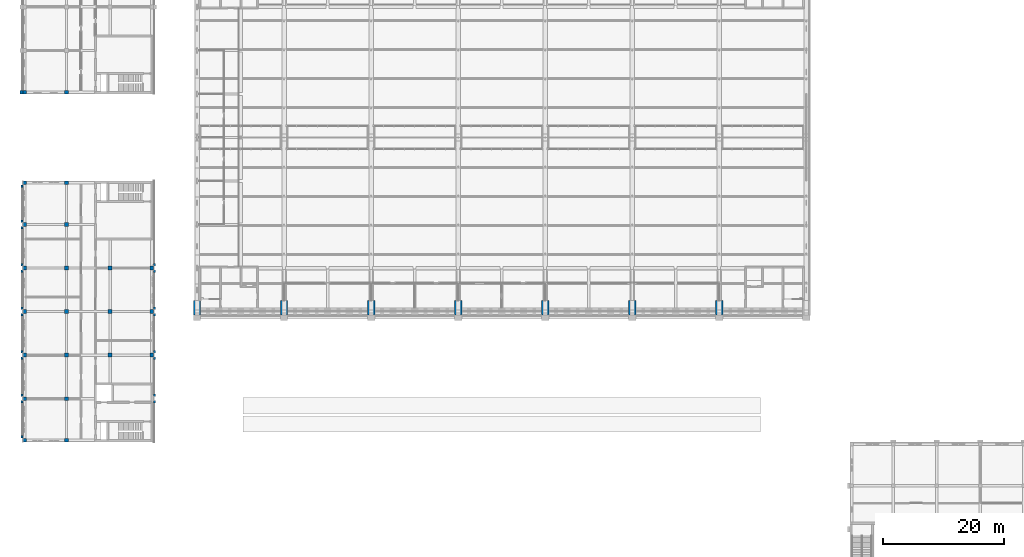
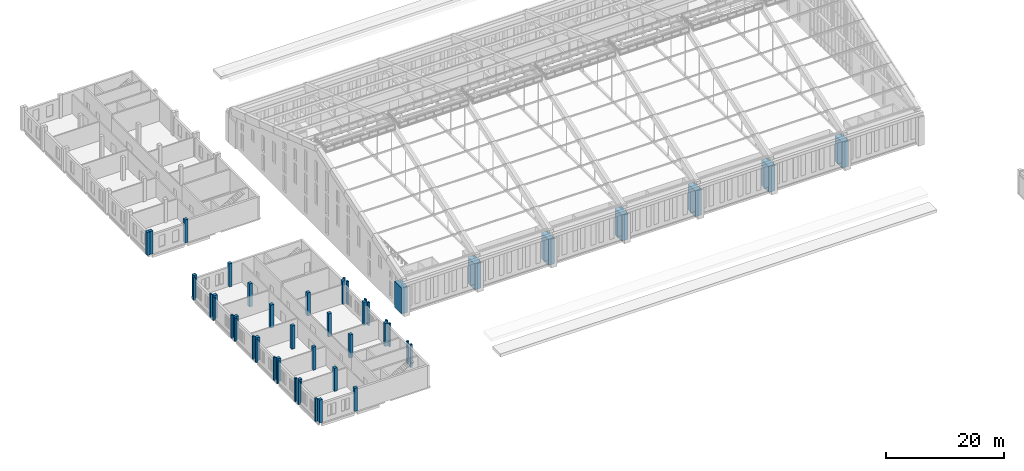
# One storey, part 1 of 149: 50 columns.
"""IFC4 building model written with IfcOpenShell, lengths in metres."""

from ifc_helpers import new_model, si_unit, direction, frame, origin, origin_2d, place, context, subcontext, project, spatial, rectangle, extrude, material, material_profile, profile_set, type_object, element, save


model = new_model("IFC4")

# Units and contexts
model_context = context("Model", 3, precision=1e-05, world=origin(), true_north=direction((0.0, 1.0)))
body_context = subcontext(model_context, "Body", "Model", "MODEL_VIEW")
ifc_project = project(units=[si_unit("LENGTHUNIT", "METRE"), si_unit("AREAUNIT", "SQUARE_METRE"), si_unit("VOLUMEUNIT", "CUBIC_METRE"), si_unit("PLANEANGLEUNIT", "RADIAN"), si_unit("MASSUNIT", "GRAM", prefix="KILO")], contexts=[model_context])

# Site, building, storey
site_placement = place(None, origin())
site = spatial("IfcSite", under=ifc_project, at=site_placement, CompositionType="ELEMENT")
building_placement = place(site_placement, origin())
building = spatial("IfcBuilding", under=site, at=building_placement, Name="Alderwick Market Hall", CompositionType="ELEMENT")
storey_placement = place(building_placement, frame((0.0, 0.0, 9.60009765625)))
storey = spatial("IfcBuildingStorey", under=building, at=storey_placement, Name="L01", CompositionType="ELEMENT", Elevation=9.60009765625)

# Columns
ifc_material_1 = material(Name="Concrete 5000 psi (f'c 35 MPa)", Category="concrete")
ifc_material_profile_1 = material_profile(ifc_material_1, rectangle(XDim=0.35009765625, YDim=0.39990234375, at=origin_2d()), Name="B Paired Pilaster 350x400")
ifc_profile_set_1 = profile_set([ifc_material_profile_1], Name="Concrete 5000 psi (f'c 35 MPa)")
column_type_1 = type_object("IfcColumnType", Name="B Paired Pilaster 350x400", PredefinedType="COLUMN", material=ifc_profile_set_1)
for number, where, z_axis, x_axis, name in (
    (1, (21.425048828125, 29.64990234375, 0.0), (0.0, 0.0, 1.0), (1.0, 0.0, 0.0), "Pilaster W01"),
    (2, (21.425048828125, 35.449951171875, 0.0), (0.0, 0.0, 1.0), (1.0, 0.0, 0.0), "Pilaster W02"),
    (3, (21.425048828125, 36.550048828125, 0.0), (0.0, 0.0, 1.0), (1.0, 0.0, 0.0), "Pilaster W03"),
    (4, (21.425048828125, 42.64990234375, 0.0), (0.0, 0.0, 1.0), (1.0, 0.0, 0.0), "Pilaster W04"),
    (5, (21.425048828125, 43.75, 0.0), (0.0, 0.0, 1.0), (1.0, 0.0, 0.0), "Pilaster W05"),
    (6, (21.425048828125, 49.85009765625, 0.0), (0.0, 0.0, 1.0), (1.0, 0.0, 0.0), "Pilaster W06"),
    (7, (21.425048828125, 50.949951171875, 0.0), (0.0, 0.0, 1.0), (1.0, 0.0, 0.0), "Pilaster W07"),
    (8, (21.425048828125, 57.050048828125, 0.0), (0.0, 0.0, 1.0), (1.0, 0.0, 0.0), "Pilaster W08"),
    (9, (21.425048828125, 58.14990234375, 0.0), (0.0, 0.0, 1.0), (1.0, 0.0, 0.0), "Pilaster W09"),
    (10, (21.425048828125, 64.25, 0.0), (0.0, 0.0, 1.0), (1.0, 0.0, 0.0), "Pilaster W10"),
    (11, (21.425048828125, 65.35009765625, 0.0), (0.0, 0.0, 1.0), (1.0, 0.0, 0.0), "Pilaster W11"),
    (12, (21.425048828125, 71.14990234375, 0.0), (0.0, 0.0, 1.0), (1.0, 0.0, 0.0), "Pilaster W12"),
    (13, (43.375, 35.449951171875, 0.0), (0.0, 0.0, 1.0), (1.0, 0.0, 0.0), "Pilaster E01"),
    (14, (43.375, 36.550048828125, 0.0), (0.0, 0.0, 1.0), (1.0, 0.0, 0.0), "Pilaster E02"),
    (15, (43.375, 42.64990234375, 0.0), (0.0, 0.0, 1.0), (1.0, 0.0, 0.0), "Pilaster E03"),
    (16, (43.375, 43.75, 0.0), (0.0, 0.0, 1.0), (1.0, 0.0, 0.0), "Pilaster E04"),
    (17, (43.375, 49.85009765625, 0.0), (0.0, 0.0, 1.0), (1.0, 0.0, 0.0), "Pilaster E05"),
    (18, (43.375, 50.949951171875, 0.0), (0.0, 0.0, 1.0), (1.0, 0.0, 0.0), "Pilaster E06"),
    (19, (43.375, 57.050048828125, 0.0), (0.0, 0.0, 1.0), (1.0, 0.0, 0.0), "Pilaster E07"),
    (20, (43.375, 58.14990234375, 0.0), (0.0, 0.0, 1.0), (1.0, 0.0, 0.0), "Pilaster E08"),
):
    element("IfcColumn", number, at=place(storey_placement, frame(where, z_axis=z_axis, x_axis=x_axis)), inside=storey, type_object=column_type_1, Name=name, PredefinedType="COLUMN", context=body_context, shape_type="SweptSolid", body=[
        extrude(rectangle(XDim=0.35009765625, YDim=0.39990234375, at=origin_2d()), origin(), (0.0, 0.0, 1.0), 4.7998046875),
    ])
ifc_material_profile_2 = material_profile(ifc_material_1, rectangle(XDim=0.5, YDim=0.60009765625, at=origin_2d()), Name="B Pilaster 500x600")
ifc_profile_set_2 = profile_set([ifc_material_profile_2], Name="Concrete 5000 psi (f'c 35 MPa)")
column_type_2 = type_object("IfcColumnType", Name="B Pilaster 500x600", PredefinedType="COLUMN", material=ifc_profile_set_2)
column_placement = place(storey_placement, frame((21.35009765625, 86.699951171875, 0.0), z_axis=(0.0, 0.0, 1.0), x_axis=(1.0, 0.0, 0.0)))
element("IfcColumn", 21, at=column_placement, inside=storey, type_object=column_type_2, Name="Pilaster W01", PredefinedType="COLUMN", context=body_context, shape_type="SweptSolid", body=[
    extrude(rectangle(XDim=0.5, YDim=0.60009765625, at=origin_2d()), origin(), (0.0, 0.0, 1.0), 4.7998046875),
])
ifc_material_2 = material(Name="Precast concrete 6000 psi (f'c 42 MPa)", Category="concrete")
ifc_material_profile_3 = material_profile(ifc_material_2, rectangle(XDim=0.60009765625, YDim=0.60009765625, at=origin_2d()), Name="B Precast Pier 600x600")
ifc_profile_set_3 = profile_set([ifc_material_profile_3], Name="Precast concrete 6000 psi (f'c 42 MPa)")
column_type_3 = type_object("IfcColumnType", Name="B Precast Pier 600x600", PredefinedType="COLUMN", material=ifc_profile_set_3)
for number, where, z_axis, x_axis, name in (
    (22, (21.89990234375, 86.699951171875, 0.0), (0.0, 0.0, 1.0), (1.0, 0.0, 0.0), "B.N.col.L01.003-429"),
    (23, (28.800048828125, 86.699951171875, 0.0), (0.0, 0.0, 1.0), (1.0, 0.0, 0.0), "B.N.col.L01.072-429"),
    (24, (21.89990234375, 29.10009765625, 0.0), (0.0, 0.0, 1.0), (1.0, 0.0, 0.0), "B.S.col.L01.003-003"),
    (25, (21.89990234375, 36.0, 0.0), (0.0, 0.0, 1.0), (1.0, 0.0, 0.0), "B.S.col.L01.003-072"),
    (26, (21.89990234375, 43.199951171875, 0.0), (0.0, 0.0, 1.0), (1.0, 0.0, 0.0), "B.S.col.L01.003-144"),
    (27, (21.89990234375, 50.39990234375, 0.0), (0.0, 0.0, 1.0), (1.0, 0.0, 0.0), "B.S.col.L01.003-216"),
    (28, (21.89990234375, 57.60009765625, 0.0), (0.0, 0.0, 1.0), (1.0, 0.0, 0.0), "B.S.col.L01.003-288"),
    (29, (21.89990234375, 64.800048828125, 0.0), (0.0, 0.0, 1.0), (1.0, 0.0, 0.0), "B.S.col.L01.003-360"),
    (30, (21.89990234375, 71.699951171875, 0.0), (0.0, 0.0, 1.0), (1.0, 0.0, 0.0), "B.S.col.L01.003-429"),
    (31, (28.800048828125, 29.10009765625, 0.0), (0.0, 0.0, 1.0), (1.0, 0.0, 0.0), "B.S.col.L01.072-003"),
    (32, (28.800048828125, 71.699951171875, 0.0), (0.0, 0.0, 1.0), (1.0, 0.0, 0.0), "B.S.col.L01.072-429"),
    (33, (42.89990234375, 43.199951171875, 0.0), (0.0, 0.0, 1.0), (1.0, 0.0, 0.0), "B.S.col.L01.213-144"),
    (34, (42.89990234375, 50.39990234375, 0.0), (0.0, 0.0, 1.0), (1.0, 0.0, 0.0), "B.S.col.L01.213-216"),
    (35, (42.89990234375, 57.60009765625, 0.0), (0.0, 0.0, 1.0), (1.0, 0.0, 0.0), "B.S.col.L01.213-288"),
):
    element("IfcColumn", number, at=place(storey_placement, frame(where, z_axis=z_axis, x_axis=x_axis)), inside=storey, type_object=column_type_3, Name=name, PredefinedType="COLUMN", context=body_context, shape_type="SweptSolid", body=[
        extrude(rectangle(XDim=0.60009765625, YDim=0.60009765625, at=origin_2d()), origin(), (0.0, 0.0, 1.0), 4.7998046875),
    ])
ifc_material_profile_4 = material_profile(ifc_material_1, rectangle(XDim=0.60009765625, YDim=0.60009765625, at=origin_2d()), Name="B RC Column 600x600")
ifc_profile_set_4 = profile_set([ifc_material_profile_4], Name="Concrete 5000 psi (f'c 35 MPa)")
column_type_4 = type_object("IfcColumnType", Name="B RC Column 600x600", PredefinedType="COLUMN", material=ifc_profile_set_4)
for number, where, z_axis, x_axis, name in (
    (36, (28.800048828125, 36.0, 0.0), (0.0, 0.0, 1.0), (1.0, 0.0, 0.0), "B.S.col.L01.072-072"),
    (37, (28.800048828125, 43.199951171875, 0.0), (0.0, 0.0, 1.0), (1.0, 0.0, 0.0), "B.S.col.L01.072-144"),
    (38, (28.800048828125, 50.39990234375, 0.0), (0.0, 0.0, 1.0), (1.0, 0.0, 0.0), "B.S.col.L01.072-216"),
    (39, (28.800048828125, 57.60009765625, 0.0), (0.0, 0.0, 1.0), (1.0, 0.0, 0.0), "B.S.col.L01.072-288"),
    (40, (28.800048828125, 64.800048828125, 0.0), (0.0, 0.0, 1.0), (1.0, 0.0, 0.0), "B.S.col.L01.072-360"),
    (41, (36.0, 43.199951171875, 0.0), (0.0, 0.0, 1.0), (1.0, 0.0, 0.0), "B.S.col.L01.144-144"),
    (42, (36.0, 50.39990234375, 0.0), (0.0, 0.0, 1.0), (1.0, 0.0, 0.0), "B.S.col.L01.144-216"),
    (43, (36.0, 57.60009765625, 0.0), (0.0, 0.0, 1.0), (1.0, 0.0, 0.0), "B.S.col.L01.144-288"),
):
    element("IfcColumn", number, at=place(storey_placement, frame(where, z_axis=z_axis, x_axis=x_axis)), inside=storey, type_object=column_type_4, Name=name, PredefinedType="COLUMN", context=body_context, shape_type="SweptSolid", body=[
        extrude(rectangle(XDim=0.60009765625, YDim=0.60009765625, at=origin_2d()), origin(), (0.0, 0.0, 1.0), 4.7998046875),
    ])
ifc_material_profile_5 = material_profile(ifc_material_1, rectangle(XDim=1.199951171875, YDim=2.39990234375, at=origin_2d()), Name="RC 1200x2400")
ifc_profile_set_5 = profile_set([ifc_material_profile_5], Name="Concrete 5000 psi (f'c 35 MPa)")
column_type_5 = type_object("IfcColumnType", Name="R Buttress Pier 1200x2400", PredefinedType="COLUMN", material=ifc_profile_set_5)
for number, where, z_axis, x_axis, name in (
    (44, (50.39990234375, 51.0, 0.0), (0.0, 0.0, 1.0), (1.0, 0.0, 0.0), "Buttress pier S1 L01"),
    (45, (64.800048828125, 51.0, 0.0), (0.0, 0.0, 1.0), (1.0, 0.0, 0.0), "Buttress pier S2 L01"),
    (46, (79.199951171875, 51.0, 0.0), (0.0, 0.0, 1.0), (1.0, 0.0, 0.0), "Buttress pier S3 L01"),
    (47, (93.60009765625, 51.0, 0.0), (0.0, 0.0, 1.0), (1.0, 0.0, 0.0), "Buttress pier S4 L01"),
    (48, (108.0, 51.0, 0.0), (0.0, 0.0, 1.0), (1.0, 0.0, 0.0), "Buttress pier S5 L01"),
    (49, (122.39990234375, 51.0, 0.0), (0.0, 0.0, 1.0), (1.0, 0.0, 0.0), "Buttress pier S6 L01"),
    (50, (136.800048828125, 51.0, 0.0), (0.0, 0.0, 1.0), (1.0, 0.0, 0.0), "Buttress pier S7 L01"),
):
    element("IfcColumn", number, at=place(storey_placement, frame(where, z_axis=z_axis, x_axis=x_axis)), inside=storey, type_object=column_type_5, Name=name, PredefinedType="COLUMN", context=body_context, shape_type="SweptSolid", body=[
        extrude(rectangle(XDim=1.199951171875, YDim=2.39990234375, at=origin_2d()), origin(), (0.0, 0.0, 1.0), 5.39990234375),
    ])

save(model, "model.ifc")
